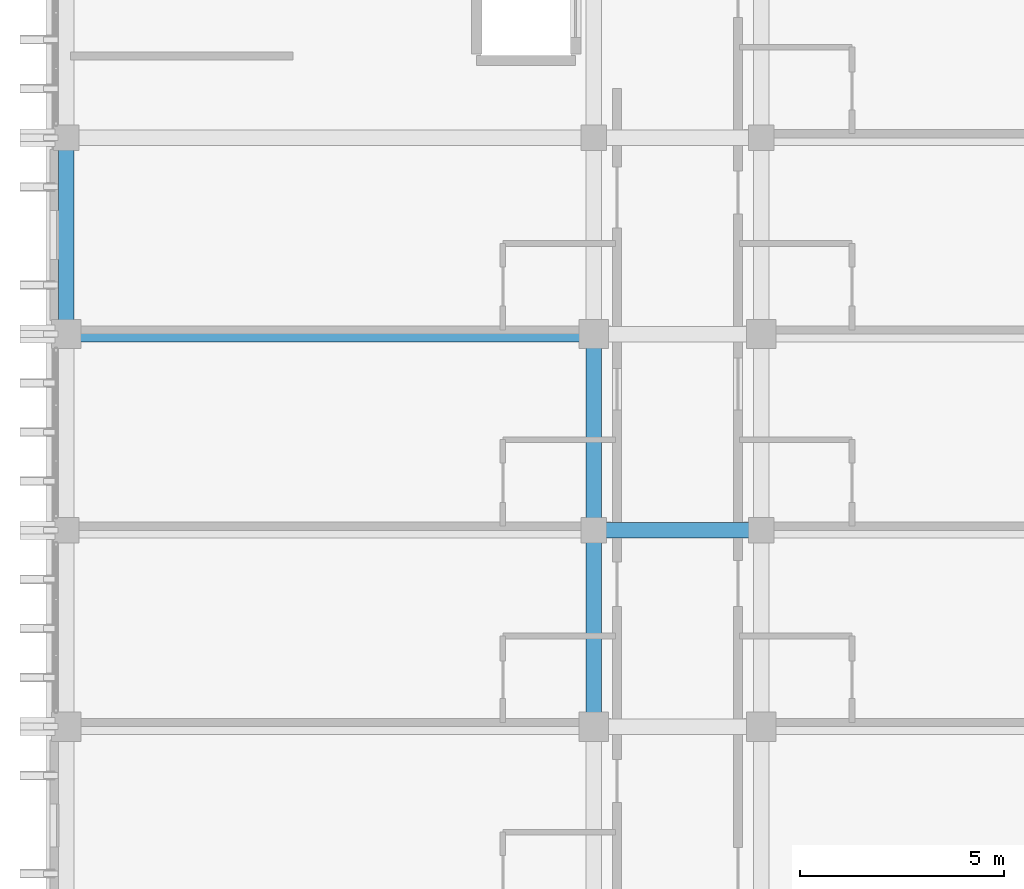
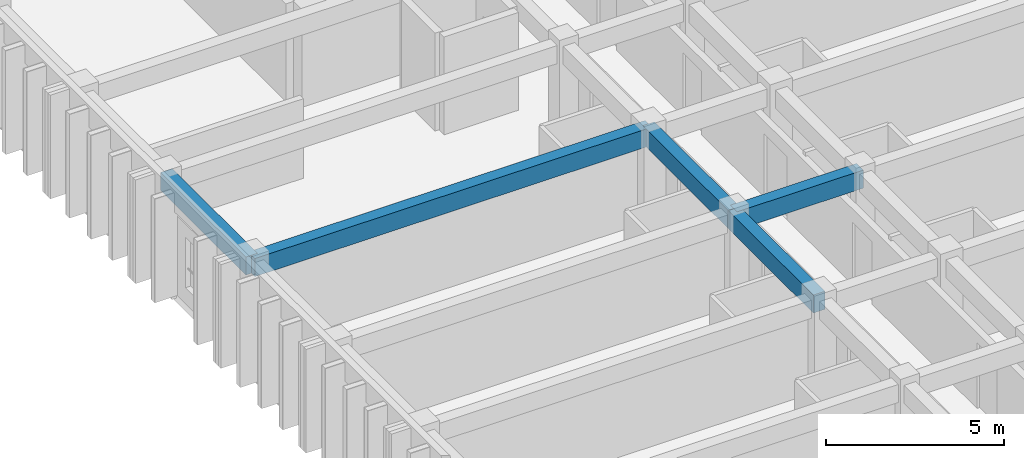
# One storey, part 11 of 59: 5 beams.
"""IFC4 building model written with IfcOpenShell, lengths in metres."""

import ifcopenshell
import ifcopenshell.guid

model = None  # the IFC model being written
_history = None  # IfcOwnerHistory: only IFC2X3 demands one
_inside = {}  # id of a spatial element -> (the spatial element, [elements in it])
_under = {}  # id of a project, library or spatial element -> (it, [spatial elements below it])
_declared = {}  # id of a project -> (the project, [libraries it declares])
_typed = {}  # id of a type object -> (the type object, [elements of that type])
_made_of = {}  # id of a material, layer set ... -> (it, [elements and type objects made of it])


def new_model(schema):
    """Start an empty IFC model of exactly this schema.

    Asked for "IFC4X3", IfcOpenShell would pick the latest addendum, in which some entities
    have other attributes; the version numbers below select the first issue.
    IFC2X3 requires an IfcOwnerHistory on every rooted entity: one is made here for all.
    """
    global model, _history
    if schema == "IFC4X3":
        model = ifcopenshell.file(schema_version=(4, 3, 0, 0))
    else:
        model = ifcopenshell.file(schema=schema)
    _inside.clear()
    _under.clear()
    _declared.clear()
    _typed.clear()
    _made_of.clear()
    _history = None
    if model.schema == "IFC2X3":
        org = make("IfcOrganization", Name="unknown")
        user = make(
            "IfcPersonAndOrganization",
            ThePerson=make("IfcPerson", FamilyName="unknown"),
            TheOrganization=org,
        )
        app = make(
            "IfcApplication",
            ApplicationDeveloper=org,
            Version="unknown",
            ApplicationFullName="unknown",
            ApplicationIdentifier="unknown",
        )
        _history = make(
            "IfcOwnerHistory",
            OwningUser=user,
            OwningApplication=app,
            ChangeAction="ADDED",
            CreationDate=0,
        )
    return model


def make(cls, **values):
    """One entity of the class cls with the attributes given. An attribute that is None is left unset."""
    return model.create_entity(
        cls, **{name: value for name, value in values.items() if value is not None}
    )


def rooted(cls, **values):
    """An entity with a GlobalId (a new one), such as an element, a storey or a relation."""
    return make(cls, GlobalId=ifcopenshell.guid.new(), OwnerHistory=_history, **values)


def si_unit(unit_type, name, prefix=None):
    """IfcSIUnit, for example si_unit("LENGTHUNIT", "METRE", prefix="MILLI")."""
    return make("IfcSIUnit", UnitType=unit_type, Prefix=prefix, Name=name)


def assignment(units):
    """IfcUnitAssignment: the units of a project."""
    return None if units is None else make("IfcUnitAssignment", Units=units)


def point(xyz):
    """IfcCartesianPoint."""
    return None if xyz is None else make("IfcCartesianPoint", Coordinates=xyz)


def direction(xyz):
    """IfcDirection."""
    return None if xyz is None else make("IfcDirection", DirectionRatios=xyz)


def frame(location, z_axis=None, x_axis=None):
    """IfcAxis2Placement3D, a coordinate frame: its origin and axes. An axis left out is left unset."""
    return make(
        "IfcAxis2Placement3D",
        Location=point(location),
        Axis=direction(z_axis),
        RefDirection=direction(x_axis),
    )


def frame_2d(location, x_axis=None):
    """IfcAxis2Placement2D, a coordinate frame in the plane: its origin and x axis."""
    return make(
        "IfcAxis2Placement2D", Location=point(location), RefDirection=direction(x_axis)
    )


def origin():
    """The frame at (0, 0, 0) with its axes left unset."""
    return frame((0.0, 0.0, 0.0))


def origin_2d():
    """The frame at (0, 0) in the plane with its x axis left unset."""
    return frame_2d((0.0, 0.0))


def place(relative_to, where):
    """IfcLocalPlacement: puts the frame where relative to a parent placement (None: the world)."""
    return make(
        "IfcLocalPlacement", PlacementRelTo=relative_to, RelativePlacement=where
    )


def context(
    kind, dimensions, precision=None, world=None, true_north=None, identifier=None
):
    """IfcGeometricRepresentationContext, for example the 3D "Model" context."""
    return make(
        "IfcGeometricRepresentationContext",
        ContextIdentifier=identifier,
        ContextType=kind,
        CoordinateSpaceDimension=dimensions,
        Precision=precision,
        WorldCoordinateSystem=world,
        TrueNorth=true_north,
    )


def subcontext(parent, identifier, kind, view, scale=None):
    """IfcGeometricRepresentationSubContext, for example "Body" below "Model"."""
    return make(
        "IfcGeometricRepresentationSubContext",
        ContextIdentifier=identifier,
        ContextType=kind,
        ParentContext=parent,
        TargetScale=scale,
        TargetView=view,
    )


def project(units=None, contexts=None):
    """IfcProject with its units and contexts."""
    return rooted(
        "IfcProject",
        Name="project",
        RepresentationContexts=contexts,
        UnitsInContext=assignment(units),
    )


def spatial(cls, under=None, at=None, **own):
    """A site, building, storey or space (cls), placed at a placement, below another one or the project."""
    s = rooted(cls, ObjectPlacement=at, **own)
    if under is not None:
        _under.setdefault(under.id(), (under, []))[1].append(s)
    return s


def profile(cls, at=None, kind="AREA", **sizes):
    """A parametric profile (cls). Its sizes go by their IFC names, for example OverallWidth=200.0."""
    return make(cls, ProfileType=kind, Position=at, **sizes)


def rectangle(**sizes):
    """IfcRectangleProfileDef."""
    return profile("IfcRectangleProfileDef", **sizes)


def extrude(swept, where, along, depth):
    """IfcExtrudedAreaSolid: the profile swept, set in the frame where, extruded along a direction by depth."""
    return make(
        "IfcExtrudedAreaSolid",
        SweptArea=swept,
        Position=where,
        ExtrudedDirection=direction(along),
        Depth=depth,
    )


def shape(context_of_items, identifier, shape_type, items):
    """IfcShapeRepresentation: the items that make up one representation, for example the "Body"."""
    return make(
        "IfcShapeRepresentation",
        ContextOfItems=context_of_items,
        RepresentationIdentifier=identifier,
        RepresentationType=shape_type,
        Items=items,
    )


def material(Name=None, Category=None):
    """IfcMaterial."""
    return make("IfcMaterial", Name=Name, Category=Category)


def material_profile(
    of_material, cross_section, Name=None, Category=None, Priority=None
):
    """IfcMaterialProfile: a cross section and its material."""
    return make(
        "IfcMaterialProfile",
        Name=Name,
        Material=of_material,
        Profile=cross_section,
        Priority=Priority,
        Category=Category,
    )


def profile_set(profiles, Name=None, composite=None):
    """IfcMaterialProfileSet."""
    return make(
        "IfcMaterialProfileSet",
        Name=Name,
        MaterialProfiles=profiles,
        CompositeProfile=composite,
    )


def made_of(thing, what):
    """Note that an element or type object is made of a material, layer set ...; save() writes the relation."""
    if what is not None:
        _made_of.setdefault(what.id(), (what, []))[1].append(thing)
    return thing


def type_object(cls, material=None, **own):
    """A type object (cls), such as IfcWallType, which elements share."""
    return made_of(rooted(cls, **own), material)


def element(
    cls,
    number,
    at=None,
    inside=None,
    cuts=None,
    type_object=None,
    material=None,
    context=None,
    identifier="Body",
    shape_type=None,
    held_by="IfcProductDefinitionShape",
    body=None,
    shapes=None,
    **own,
):
    """One element of the class cls, such as IfcWall. Its Tag is "e" and its number.

    at: its placement. inside: the storey or other place that contains it. cuts: it is an
    opening in that element (IfcRelVoidsElement). A single representation is given by context,
    identifier, shape_type and body (its items); several are given by shapes. held_by: the class
    of the entity that holds the representations. save() writes the other relations.
    """
    e = rooted(cls, Tag="e%d" % number, ObjectPlacement=at, **own)
    if body is not None:
        shapes = [shape(context, identifier, shape_type, body)]
    if shapes is not None:
        e.Representation = make(held_by, Representations=shapes)
    if inside is not None:
        _inside.setdefault(inside.id(), (inside, []))[1].append(e)
    if cuts is not None:
        rooted(
            "IfcRelVoidsElement", RelatingBuildingElement=cuts, RelatedOpeningElement=e
        )
    if type_object is not None:
        _typed.setdefault(type_object.id(), (type_object, []))[1].append(e)
    return made_of(e, material)


def aggregate(whole, parts):
    """IfcRelAggregates: a whole, such as a stair, and the parts it consists of."""
    return rooted("IfcRelAggregates", RelatingObject=whole, RelatedObjects=parts)


def save(model, path):
    """Write the relations noted so far, then the file.

    IfcRelAggregates (storeys below a building ...), IfcRelContainedInSpatialStructure (elements
    in a storey), IfcRelDefinesByType, IfcRelAssociatesMaterial and IfcRelDeclares: one each for
    every whole, place, type object, material and project.
    """
    for whole, parts in _under.values():
        aggregate(whole, parts)
    for where, things in _inside.values():
        rooted(
            "IfcRelContainedInSpatialStructure",
            RelatedElements=things,
            RelatingStructure=where,
        )
    for kind, things in _typed.values():
        rooted("IfcRelDefinesByType", RelatedObjects=things, RelatingType=kind)
    for what, things in _made_of.values():
        rooted("IfcRelAssociatesMaterial", RelatedObjects=things, RelatingMaterial=what)
    for by, libraries in _declared.values():
        rooted("IfcRelDeclares", RelatingContext=by, RelatedDefinitions=libraries)
    model.write(path)


model = new_model("IFC4")

# Units and contexts
model_context = context("Model", 3, precision=1e-05, world=origin(), true_north=direction((0.0, 1.0)))
body_context = subcontext(model_context, "Body", "Model", "MODEL_VIEW")
ifc_project = project(units=[si_unit("LENGTHUNIT", "METRE"), si_unit("AREAUNIT", "SQUARE_METRE"), si_unit("VOLUMEUNIT", "CUBIC_METRE"), si_unit("PLANEANGLEUNIT", "RADIAN"), si_unit("MASSUNIT", "GRAM", prefix="KILO")], contexts=[model_context])

# Site, building, storey
site_placement = place(None, origin())
site = spatial("IfcSite", under=ifc_project, at=site_placement, CompositionType="ELEMENT")
building_placement = place(site_placement, origin())
building = spatial("IfcBuilding", under=site, at=building_placement, Name="Nakhvara Creek Congress Hotel", CompositionType="ELEMENT")
storey_placement = place(building_placement, frame((0.0, 0.0, 31.800048828125)))
storey = spatial("IfcBuildingStorey", under=building, at=storey_placement, Name="L07", CompositionType="ELEMENT", Elevation=31.800048828125)

# Beams
ifc_material = material(Name="Concrete C40/50", Category="concrete")
ifc_material_profile = material_profile(ifc_material, rectangle(XDim=0.3798828125, YDim=0.6201171875, at=origin_2d()), Name="RC-BM 380x620", Category="LoadBearing")
ifc_profile_set = profile_set([ifc_material_profile], Name="Concrete C40/50")
beam_type = type_object("IfcBeamType", Name="BM-RC-380X620", PredefinedType="BEAM", material=ifc_profile_set)
beam_1_placement = place(storey_placement, frame((149.449951171875, 67.199951171875, 3.050048828125), z_axis=(1.0, 0.0, 0.0), x_axis=(0.0, 1.0, 0.0)))
element("IfcBeam", 1, at=beam_1_placement, inside=storey, type_object=beam_type, Name="Beam B10-L07-2323", PredefinedType="BEAM", context=body_context, shape_type="SweptSolid", body=[
    extrude(rectangle(XDim=0.3798828125, YDim=0.6201171875, at=origin_2d()), origin(), (0.0, 0.0, 1.0), 12.900146484375),
])
beam_2_placement = place(storey_placement, frame((149.449951171875, 67.199951171875, 3.050048828125), z_axis=(0.0, 1.0, 0.0), x_axis=(-1.0, 0.0, 0.0)))
element("IfcBeam", 2, at=beam_2_placement, inside=storey, type_object=beam_type, Name="Beam B10-L07-2325", PredefinedType="BEAM", context=body_context, shape_type="SweptSolid", body=[
    extrude(rectangle(XDim=0.3798828125, YDim=0.6201171875, at=origin_2d()), origin(), (0.0, 0.0, 1.0), 4.800048828125),
])
beam_3_placement = place(storey_placement, frame((162.35009765625, 57.60009765625, 3.050048828125), z_axis=(0.0, 1.0, 0.0), x_axis=(-1.0, 0.0, 0.0)))
element("IfcBeam", 3, at=beam_3_placement, inside=storey, type_object=beam_type, Name="Beam B10-L07-2345", PredefinedType="BEAM", context=body_context, shape_type="SweptSolid", body=[
    extrude(rectangle(XDim=0.3798828125, YDim=0.6201171875, at=origin_2d()), origin(), (0.0, 0.0, 1.0), 4.7998046875),
])
beam_4_placement = place(storey_placement, frame((162.35009765625, 62.39990234375, 3.050048828125), z_axis=(0.0, 1.0, 0.0), x_axis=(-1.0, 0.0, 0.0)))
element("IfcBeam", 4, at=beam_4_placement, inside=storey, type_object=beam_type, Name="Beam B10-L07-2347", PredefinedType="BEAM", context=body_context, shape_type="SweptSolid", body=[
    extrude(rectangle(XDim=0.3798828125, YDim=0.6201171875, at=origin_2d()), origin(), (0.0, 0.0, 1.0), 4.800048828125),
])
beam_5_placement = place(storey_placement, frame((162.35009765625, 62.39990234375, 3.050048828125), z_axis=(1.0, 0.0, 0.0), x_axis=(0.0, 1.0, 0.0)))
element("IfcBeam", 5, at=beam_5_placement, inside=storey, type_object=beam_type, Name="Beam B10-L07-2414", PredefinedType="BEAM", context=body_context, shape_type="SweptSolid", body=[
    extrude(rectangle(XDim=0.3798828125, YDim=0.6201171875, at=origin_2d()), origin(), (0.0, 0.0, 1.0), 4.099853515625),
])

save(model, "model.ifc")
